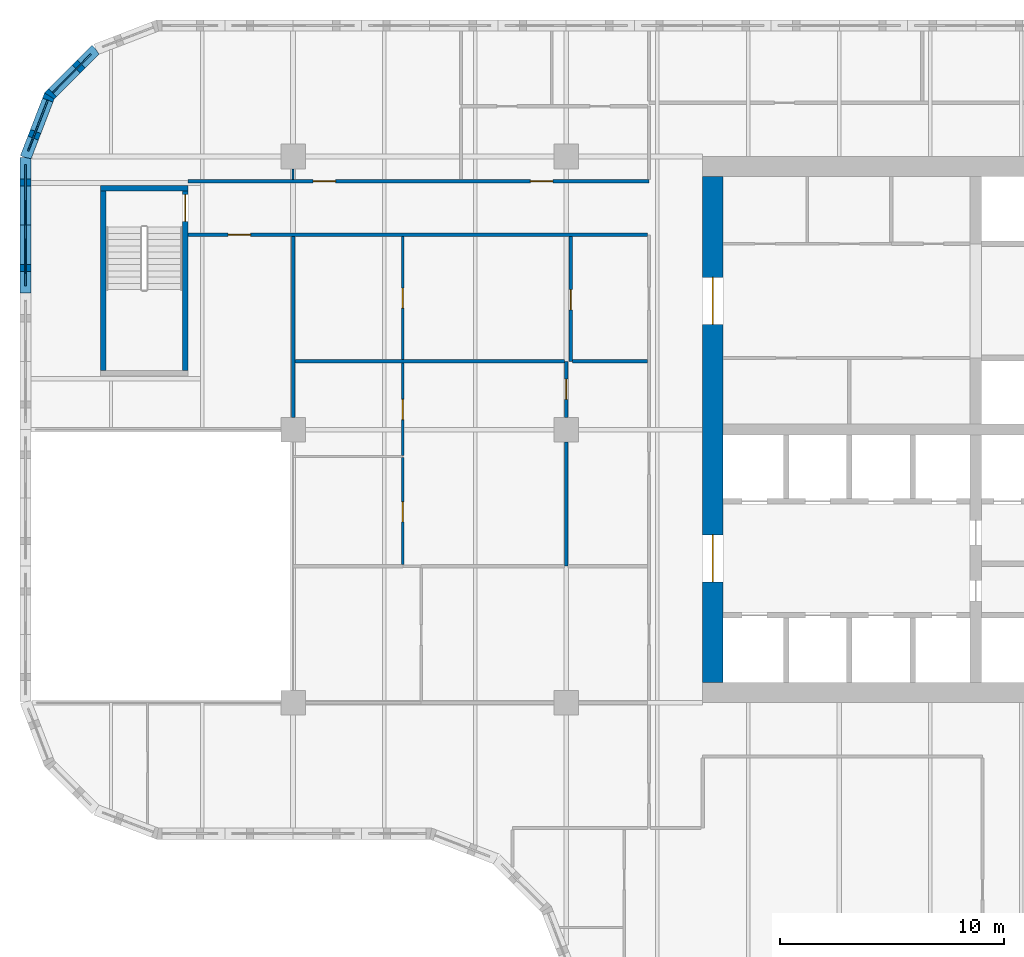
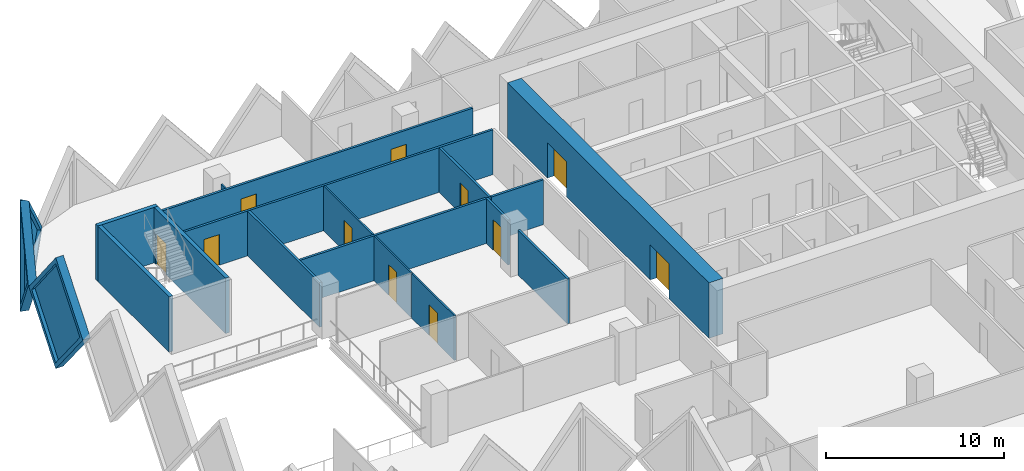
# One storey, part 8 of 19: 19 walls, 11 doors, 3 plates, 14 openings.
"""IFC4 building model written with IfcOpenShell, lengths in metres."""

from ifc_helpers import new_model, si_unit, direction, frame, frame_2d, origin, place, context, subcontext, project, spatial, polyline, rectangle, outline, extrude, faceted_brep, source, transform, mapped, material, layer, layer_set, type_object, element, fill, save


model = new_model("IFC4")

# Units and contexts
model_context = context("Model", 3, precision=1e-05, world=origin(), true_north=direction((0.0, 1.0)))
body_context = subcontext(model_context, "Body", "Model", "MODEL_VIEW")
ifc_project = project(units=[si_unit("LENGTHUNIT", "METRE"), si_unit("AREAUNIT", "SQUARE_METRE"), si_unit("VOLUMEUNIT", "CUBIC_METRE"), si_unit("PLANEANGLEUNIT", "RADIAN"), si_unit("MASSUNIT", "GRAM", prefix="KILO")], contexts=[model_context])

# Site, building, storey
site_placement = place(None, origin())
site = spatial("IfcSite", under=ifc_project, at=site_placement, CompositionType="ELEMENT")
building_placement = place(site_placement, origin())
building = spatial("IfcBuilding", under=site, at=building_placement, Name="Tessera Gate Towers", CompositionType="ELEMENT")
storey_placement = place(building_placement, frame((0.0, 0.0, 33.39990234375)))
storey = spatial("IfcBuildingStorey", under=building, at=storey_placement, Name="L07", CompositionType="ELEMENT", Elevation=33.39990234375)

# Walls
ifc_material_1 = material(Name="Concrete C40/50", Category="concrete")
ifc_layer_1 = layer(ifc_material_1, 0.25)
ifc_layer_set_1 = layer_set([ifc_layer_1], Name="CORE ENCLOSURE WALL 250")
wall_type_1 = type_object("IfcWallType", Name="CORE ENCLOSURE WALL 250", PredefinedType="SOLIDWALL", material=ifc_layer_set_1)
wall_1_placement = place(storey_placement, frame((3.72509765625, 39.25, 0.0), z_axis=(0.0, 0.0, 1.0), x_axis=(0.0, 1.0, 0.0)))
element("IfcWall", 1, at=wall_1_placement, inside=storey, type_object=wall_type_1, Name="L07 ST3 enclosure wall", PredefinedType="SOLIDWALL", context=body_context, shape_type="SweptSolid", body=[
    extrude(rectangle(XDim=8.0, YDim=0.25, at=frame_2d((4.0, 0.0))), origin(), (0.0, 0.0, 1.0), 3.800048828125),
])
wall_2_placement = place(storey_placement, frame((3.60009765625, 47.375, 0.0), z_axis=(0.0, 0.0, 1.0), x_axis=(1.0, 0.0, 0.0)))
element("IfcWall", 2, at=wall_2_placement, inside=storey, type_object=wall_type_1, Name="L07 ST3 enclosure wall", PredefinedType="SOLIDWALL", context=body_context, shape_type="SweptSolid", body=[
    extrude(rectangle(XDim=3.89990234375, YDim=0.25, at=frame_2d((1.949951171875, 0.0))), origin(), (0.0, 0.0, 1.0), 3.800048828125),
])

# Wall, opening, door
wall_3_placement = place(storey_placement, frame((7.375, 47.25, 0.0), z_axis=(0.0, 0.0, 1.0), x_axis=(0.0, -1.0, 0.0)))
wall_3 = element("IfcWall", 3, at=wall_3_placement, inside=storey, type_object=wall_type_1, Name="L07 ST3 enclosure wall", PredefinedType="SOLIDWALL", context=body_context, shape_type="SweptSolid", body=[
    extrude(rectangle(XDim=8.0, YDim=0.25, at=frame_2d((4.0, 0.0))), origin(), (0.0, 0.0, 1.0), 3.800048828125),
])
shared_shape_1 = source(origin(), body_context, "Body", "SweptSolid", [
    extrude(rectangle(XDim=1.199951171875, YDim=2.10009765625, at=frame_2d((0.60009765625, 1.050048828125))), frame((0.0, 0.135009765625, 0.0), z_axis=(0.0, -1.0, 0.0), x_axis=(1.0, 0.0, 0.0)), (0.0, 0.0, 1.0), 0.27001953125),
])
opening_1_placement = place(wall_3_placement, frame((0.14990234375, 0.0, 0.0)))
opening_1 = element("IfcOpeningElement", 4, at=opening_1_placement, cuts=wall_3, Name="Opening SD-ST3-1", PredefinedType="OPENING", context=body_context, shape_type="MappedRepresentation", body=[
    mapped(shared_shape_1, transform((0.0, 0.0, 0.0), scale=1.0)),
])
ifc_material_2 = material(Name="Hollow steel fire door", Category="steel")
door_type_1 = type_object("IfcDoorType", Name="CORE DOOR SD 1200x2100", OperationType="NOTDEFINED", PredefinedType="DOOR", material=ifc_material_2)
shared_shape_2 = source(origin(), body_context, "Body", "SweptSolid", [
    extrude(rectangle(XDim=1.199951171875, YDim=2.10009765625, at=frame_2d((0.60009765625, 1.050048828125))), frame((0.0, 0.02490234375, 0.0), z_axis=(0.0, -1.0, 0.0), x_axis=(1.0, 0.0, 0.0)), (0.0, 0.0, 1.0), 0.050048828125),
])
door_1_placement = place(opening_1_placement, origin())
door_1 = element("IfcDoor", 5, at=door_1_placement, inside=storey, type_object=door_type_1, Name="Stair door", OperationType="SINGLE_SWING_LEFT", OverallHeight=2.10009765625, OverallWidth=1.199951171875, PredefinedType="DOOR", context=body_context, shape_type="MappedRepresentation", body=[
    mapped(shared_shape_2, transform((0.0, 0.0, 0.0), scale=1.0)),
])
fill(opening_1, door_1)

# Wall, openings, doors
ifc_material_3 = material(Name="Concrete C70/85", Category="concrete")
ifc_layer_2 = layer(ifc_material_3, 0.89990234375)
ifc_layer_set_2 = layer_set([ifc_layer_2], Name="CORE SHEAR WALL 900 C70/85")
wall_type_2 = type_object("IfcWallType", Name="CORE SHEAR WALL 900 C70/85", PredefinedType="SHEAR", material=ifc_layer_set_2)
wall_4_placement = place(storey_placement, frame((30.949951171875, 25.300048828125, 0.0), z_axis=(0.0, 0.0, 1.0), x_axis=(0.0, 1.0, 0.0)))
wall_4 = element("IfcWall", 6, at=wall_4_placement, inside=storey, type_object=wall_type_2, Name="Core wall W L07", PredefinedType="SHEAR", context=body_context, shape_type="SweptSolid", body=[
    extrude(rectangle(XDim=22.599853515625, YDim=0.89990234375, at=frame_2d((11.2998046875, 0.0))), origin(), (0.0, 0.0, 1.0), 3.800048828125),
])
shared_shape_3 = source(origin(), body_context, "Body", "SweptSolid", [
    extrude(rectangle(XDim=2.10009765625, YDim=2.39990234375, at=frame_2d((1.050048828125, 1.199951171875))), frame((0.0, 0.4599609375, 0.0), z_axis=(0.0, -1.0, 0.0), x_axis=(1.0, 0.0, 0.0)), (0.0, 0.0, 1.0), 0.919921875),
])
opening_2_placement = place(wall_4_placement, frame((4.5, 0.0, 0.0)))
opening_2 = element("IfcOpeningElement", 7, at=opening_2_placement, cuts=wall_4, Name="Opening DD-T1-07-02", PredefinedType="OPENING", context=body_context, shape_type="MappedRepresentation", body=[
    mapped(shared_shape_3, transform((0.0, 0.0, 0.0), scale=1.0)),
])
opening_3_placement = place(wall_4_placement, frame((16.0, 0.0, 0.0)))
opening_3 = element("IfcOpeningElement", 8, at=opening_3_placement, cuts=wall_4, Name="Opening DD-T1-07-03", PredefinedType="OPENING", context=body_context, shape_type="MappedRepresentation", body=[
    mapped(shared_shape_3, transform((0.0, 0.0, 0.0), scale=1.0)),
])
ifc_material_4 = material(Name="Hollow steel fire door", Category="steel")
door_type_2 = type_object("IfcDoorType", Name="CORE DOOR DD 2100x2400", OperationType="NOTDEFINED", PredefinedType="DOOR", material=ifc_material_4)
shared_shape_4 = source(origin(), body_context, "Body", "SweptSolid", [
    extrude(rectangle(XDim=2.10009765625, YDim=2.39990234375, at=frame_2d((1.050048828125, 1.199951171875))), frame((0.0, 0.02490234375, 0.0), z_axis=(0.0, -1.0, 0.0), x_axis=(1.0, 0.0, 0.0)), (0.0, 0.0, 1.0), 0.050048828125),
])
door_2_placement = place(opening_2_placement, origin())
door_2 = element("IfcDoor", 9, at=door_2_placement, inside=storey, type_object=door_type_2, Name="Core entrance door", OperationType="DOUBLE_DOOR_SINGLE_SWING", OverallHeight=2.39990234375, OverallWidth=2.10009765625, PredefinedType="DOOR", context=body_context, shape_type="MappedRepresentation", body=[
    mapped(shared_shape_4, transform((0.0, 0.0, 0.0), scale=1.0)),
])
fill(opening_2, door_2)
door_3_placement = place(opening_3_placement, origin())
door_3 = element("IfcDoor", 10, at=door_3_placement, inside=storey, type_object=door_type_2, Name="Core entrance door", OperationType="DOUBLE_DOOR_SINGLE_SWING", OverallHeight=2.39990234375, OverallWidth=2.10009765625, PredefinedType="DOOR", context=body_context, shape_type="MappedRepresentation", body=[
    mapped(shared_shape_4, transform((0.0, 0.0, 0.0), scale=1.0)),
])
fill(opening_3, door_3)

# Wall, opening, door
ifc_material_5 = material(Name="Gypsum board on steel studs, mineral wool", Category="steel")
ifc_layer_3 = layer(ifc_material_5, 0.14990234375)
ifc_layer_set_3 = layer_set([ifc_layer_3], Name="CORRIDOR WALL 150")
wall_type_3 = type_object("IfcWallType", Name="CORRIDOR WALL 150", PredefinedType="PARTITIONING", material=ifc_layer_set_3)
wall_5_placement = place(storey_placement, frame((28.02392578125, 45.300048828125, 0.0), z_axis=(0.0, 0.0, 1.0), x_axis=(-1.0, 0.0, 0.0)))
wall_5 = element("IfcWall", 11, at=wall_5_placement, inside=storey, type_object=wall_type_3, Name="T1-L07-PW-046", PredefinedType="PARTITIONING", context=body_context, shape_type="SweptSolid", body=[
    extrude(rectangle(XDim=20.52392578125, YDim=0.14990234375, at=frame_2d((10.261962890625, 0.0))), origin(), (0.0, 0.0, 1.0), 3.067138671875),
])
shared_shape_5 = source(origin(), body_context, "Body", "SweptSolid", [
    extrude(rectangle(XDim=1.0, YDim=2.10009765625, at=frame_2d((0.5, 1.050048828125))), frame((0.0, 0.0849609375, 0.0), z_axis=(0.0, -1.0, 0.0), x_axis=(1.0, 0.0, 0.0)), (0.0, 0.0, 1.0), 0.169921875),
])
opening_4_placement = place(wall_5_placement, frame((17.72412109375, 0.0, 0.0)))
opening_4 = element("IfcOpeningElement", 12, at=opening_4_placement, cuts=wall_5, Name="Opening D2100FD60-A02-01", PredefinedType="OPENING", context=body_context, shape_type="MappedRepresentation", body=[
    mapped(shared_shape_5, transform((0.0, 0.0, 0.0), scale=1.0)),
])
ifc_material_6 = material(Name="Timber door leaf in steel frame", Category="steel")
door_type_3 = type_object("IfcDoorType", Name="TENANCY ENTRANCE DOOR 1000 FD60", OperationType="NOTDEFINED", PredefinedType="DOOR", material=ifc_material_6)
shared_shape_6 = source(origin(), body_context, "Body", "SweptSolid", [
    extrude(rectangle(XDim=1.0, YDim=2.10009765625, at=frame_2d((0.5, 1.050048828125))), frame((0.0, 0.02490234375, 0.0), z_axis=(0.0, -1.0, 0.0), x_axis=(1.0, 0.0, 0.0)), (0.0, 0.0, 1.0), 0.050048828125),
])
door_4_placement = place(opening_4_placement, origin())
door_4 = element("IfcDoor", 13, at=door_4_placement, inside=storey, type_object=door_type_3, Name="T1-L07-PD-009", OperationType="SINGLE_SWING_RIGHT", OverallHeight=2.10009765625, OverallWidth=1.0, PredefinedType="DOOR", context=body_context, shape_type="MappedRepresentation", body=[
    mapped(shared_shape_6, transform((0.0, 0.0, 0.0), scale=1.0)),
])
fill(opening_4, door_4)

# Wall, openings, doors
wall_6_placement = place(storey_placement, frame((7.5, 47.699951171875, 0.0), z_axis=(0.0, 0.0, 1.0), x_axis=(1.0, 0.0, 0.0)))
wall_6 = element("IfcWall", 14, at=wall_6_placement, inside=storey, type_object=wall_type_3, Name="T1-L07-PW-047", PredefinedType="PARTITIONING", context=body_context, shape_type="SweptSolid", body=[
    extrude(rectangle(XDim=20.60009765625, YDim=0.14990234375, at=frame_2d((10.300048828125, 0.0))), origin(), (0.0, 0.0, 1.0), 3.067138671875),
])
opening_5_placement = place(wall_6_placement, frame((15.301025390625, 0.0, 0.0)))
opening_5 = element("IfcOpeningElement", 15, at=opening_5_placement, cuts=wall_6, Name="Opening D2100FD60-A02-04", PredefinedType="OPENING", context=body_context, shape_type="MappedRepresentation", body=[
    mapped(shared_shape_5, transform((0.0, 0.0, 0.0), scale=1.0)),
])
opening_6_placement = place(wall_6_placement, frame((5.60009765625, 0.0, 0.0)))
opening_6 = element("IfcOpeningElement", 16, at=opening_6_placement, cuts=wall_6, Name="Opening D2100FD60-A02-06", PredefinedType="OPENING", context=body_context, shape_type="MappedRepresentation", body=[
    mapped(shared_shape_5, transform((0.0, 0.0, 0.0), scale=1.0)),
])
door_5_placement = place(opening_5_placement, origin())
door_5 = element("IfcDoor", 17, at=door_5_placement, inside=storey, type_object=door_type_3, Name="T1-L07-PD-024", OperationType="SINGLE_SWING_LEFT", OverallHeight=2.10009765625, OverallWidth=1.0, PredefinedType="DOOR", context=body_context, shape_type="MappedRepresentation", body=[
    mapped(shared_shape_6, transform((0.0, 0.0, 0.0), scale=1.0)),
])
fill(opening_5, door_5)
door_6_placement = place(opening_6_placement, origin())
door_6 = element("IfcDoor", 18, at=door_6_placement, inside=storey, type_object=door_type_3, Name="T1-L07-PD-029", OperationType="SINGLE_SWING_LEFT", OverallHeight=2.10009765625, OverallWidth=1.0, PredefinedType="DOOR", context=body_context, shape_type="MappedRepresentation", body=[
    mapped(shared_shape_6, transform((0.0, 0.0, 0.0), scale=1.0)),
])
fill(opening_6, door_6)

# Wall, opening, door
ifc_material_7 = material(Name="Gypsum board on steel studs", Category="steel")
ifc_layer_4 = layer(ifc_material_7, 0.10009765625)
ifc_layer_set_4 = layer_set([ifc_layer_4], Name="PARTITION 100")
wall_type_4 = type_object("IfcWallType", Name="PARTITION 100", PredefinedType="PARTITIONING", material=ifc_layer_set_4)
wall_7_placement = place(storey_placement, frame((17.10009765625, 30.575927734375, 0.0), z_axis=(0.0, 0.0, 1.0), x_axis=(0.0, 1.0, 0.0)))
wall_7 = element("IfcWall", 19, at=wall_7_placement, inside=storey, type_object=wall_type_4, Name="T1-L07-PW-037", PredefinedType="PARTITIONING", context=body_context, shape_type="SweptSolid", body=[
    extrude(rectangle(XDim=4.768310546875, YDim=0.10009765625, at=frame_2d((2.38427734375, 0.0))), origin(), (0.0, 0.0, 1.0), 3.067138671875),
])
shared_shape_7 = source(origin(), body_context, "Body", "SweptSolid", [
    extrude(rectangle(XDim=0.89990234375, YDim=2.10009765625, at=frame_2d((0.449951171875, 1.050048828125))), frame((0.0, 0.06005859375, 0.0), z_axis=(0.0, -1.0, 0.0), x_axis=(1.0, 0.0, 0.0)), (0.0, 0.0, 1.0), 0.1201171875),
])
opening_7_placement = place(wall_7_placement, frame((1.89990234375, 0.0, 0.0)))
opening_7 = element("IfcOpeningElement", 20, at=opening_7_placement, cuts=wall_7, Name="Opening D190-A02-10", PredefinedType="OPENING", context=body_context, shape_type="MappedRepresentation", body=[
    mapped(shared_shape_7, transform((0.0, 0.0, 0.0), scale=1.0)),
])
ifc_material_8 = material(Name="Timber door leaf in steel frame", Category="steel")
door_type_4 = type_object("IfcDoorType", Name="INTERNAL DOOR 900 NOT RATED", OperationType="NOTDEFINED", PredefinedType="DOOR", material=ifc_material_8)
shared_shape_8 = source(origin(), body_context, "Body", "SweptSolid", [
    extrude(rectangle(XDim=0.89990234375, YDim=2.10009765625, at=frame_2d((0.449951171875, 1.050048828125))), frame((0.0, 0.02490234375, 0.0), z_axis=(0.0, -1.0, 0.0), x_axis=(1.0, 0.0, 0.0)), (0.0, 0.0, 1.0), 0.050048828125),
])
door_7_placement = place(opening_7_placement, origin())
door_7 = element("IfcDoor", 21, at=door_7_placement, inside=storey, type_object=door_type_4, Name="T1-L07-PD-012", OperationType="SINGLE_SWING_LEFT", OverallHeight=2.10009765625, OverallWidth=0.89990234375, PredefinedType="DOOR", context=body_context, shape_type="MappedRepresentation", body=[
    mapped(shared_shape_8, transform((0.0, 0.0, 0.0), scale=1.0)),
])
fill(opening_7, door_7)

wall_8_placement = place(storey_placement, frame((17.10009765625, 35.4462890625, 0.0), z_axis=(0.0, 0.0, 1.0), x_axis=(0.0, 1.0, 0.0)))
wall_8 = element("IfcWall", 22, at=wall_8_placement, inside=storey, type_object=wall_type_4, Name="T1-L07-PW-039", PredefinedType="PARTITIONING", context=body_context, shape_type="SweptSolid", body=[
    extrude(rectangle(XDim=4.127685546875, YDim=0.10009765625, at=frame_2d((2.06396484375, 0.0))), origin(), (0.0, 0.0, 1.0), 3.067138671875),
])
opening_8_placement = place(wall_8_placement, frame((1.60009765625, 0.0, 0.0)))
opening_8 = element("IfcOpeningElement", 23, at=opening_8_placement, cuts=wall_8, Name="Opening D190-A02-03", PredefinedType="OPENING", context=body_context, shape_type="MappedRepresentation", body=[
    mapped(shared_shape_7, transform((0.0, 0.0, 0.0), scale=1.0)),
])
door_8_placement = place(opening_8_placement, origin())
door_8 = element("IfcDoor", 24, at=door_8_placement, inside=storey, type_object=door_type_4, Name="T1-L07-PD-004", OperationType="SINGLE_SWING_LEFT", OverallHeight=2.10009765625, OverallWidth=0.89990234375, PredefinedType="DOOR", context=body_context, shape_type="MappedRepresentation", body=[
    mapped(shared_shape_8, transform((0.0, 0.0, 0.0), scale=1.0)),
])
fill(opening_8, door_8)

wall_9_placement = place(storey_placement, frame((17.10009765625, 39.72607421875, 0.0), z_axis=(0.0, 0.0, 1.0), x_axis=(0.0, 1.0, 0.0)))
wall_9 = element("IfcWall", 25, at=wall_9_placement, inside=storey, type_object=wall_type_4, Name="T1-L07-PW-045", PredefinedType="PARTITIONING", context=body_context, shape_type="SweptSolid", body=[
    extrude(rectangle(XDim=5.498046875, YDim=0.10009765625, at=frame_2d((2.7490234375, 0.0))), origin(), (0.0, 0.0, 1.0), 3.067138671875),
])
opening_9_placement = place(wall_9_placement, frame((2.300048828125, 0.0, 0.0)))
opening_9 = element("IfcOpeningElement", 26, at=opening_9_placement, cuts=wall_9, Name="Opening D190-A02-11", PredefinedType="OPENING", context=body_context, shape_type="MappedRepresentation", body=[
    mapped(shared_shape_7, transform((0.0, 0.0, 0.0), scale=1.0)),
])
door_9_placement = place(opening_9_placement, origin())
door_9 = element("IfcDoor", 27, at=door_9_placement, inside=storey, type_object=door_type_4, Name="T1-L07-PD-015", OperationType="SINGLE_SWING_LEFT", OverallHeight=2.10009765625, OverallWidth=0.89990234375, PredefinedType="DOOR", context=body_context, shape_type="MappedRepresentation", body=[
    mapped(shared_shape_8, transform((0.0, 0.0, 0.0), scale=1.0)),
])
fill(opening_9, door_9)

# Walls
wall_10_placement = place(storey_placement, frame((12.199951171875, 48.25, 0.0), z_axis=(0.0, 0.0, 1.0), x_axis=(0.0, -1.0, 0.0)))
element("IfcWall", 28, at=wall_10_placement, inside=storey, type_object=wall_type_4, Name="T1-L07-PW-050", PredefinedType="PARTITIONING", context=body_context, shape_type="SweptSolid", body=[
    extrude(rectangle(XDim=0.47509765625, YDim=0.10009765625, at=frame_2d((0.237548828125, 0.0))), origin(), (0.0, 0.0, 1.0), 3.067138671875),
])
ifc_material_9 = material(Name="Gypsum board on steel studs, mineral wool", Category="steel")
ifc_layer_5 = layer(ifc_material_9, 0.14990234375)
ifc_layer_set_5 = layer_set([ifc_layer_5], Name="TENANCY WALL 150")
wall_type_5 = type_object("IfcWallType", Name="TENANCY WALL 150", PredefinedType="PARTITIONING", material=ifc_layer_set_5)
wall_11_placement = place(storey_placement, frame((24.39990234375, 30.5, 0.0), z_axis=(0.0, 0.0, 1.0), x_axis=(0.0, 1.0, 0.0)))
element("IfcWall", 29, at=wall_11_placement, inside=storey, type_object=wall_type_5, Name="T1-L07-PW-035", PredefinedType="PARTITIONING", context=body_context, shape_type="SweptSolid", body=[
    extrude(rectangle(XDim=5.549072265625, YDim=0.14990234375, at=frame_2d((2.7744140625, 0.0))), origin(), (0.0, 0.0, 1.0), 3.067138671875),
])
wall_12_placement = place(storey_placement, frame((12.199951171875, 37.15087890625, 0.0), z_axis=(0.0, 0.0, 1.0), x_axis=(0.0, 1.0, 0.0)))
element("IfcWall", 30, at=wall_12_placement, inside=storey, type_object=wall_type_5, Name="T1-L07-PW-040", PredefinedType="PARTITIONING", context=body_context, shape_type="SweptSolid", body=[
    extrude(rectangle(XDim=8.0732421875, YDim=0.14990234375, at=frame_2d((4.03662109375, 0.0))), origin(), (0.0, 0.0, 1.0), 3.067138671875),
])

# Wall, opening, door
wall_13_placement = place(storey_placement, frame((24.39990234375, 37.15087890625, 0.0), z_axis=(0.0, 0.0, 1.0), x_axis=(0.0, 1.0, 0.0)))
wall_13 = element("IfcWall", 31, at=wall_13_placement, inside=storey, type_object=wall_type_5, Name="T1-L07-PW-041", PredefinedType="PARTITIONING", context=body_context, shape_type="SweptSolid", body=[
    extrude(rectangle(XDim=2.4990234375, YDim=0.14990234375, at=frame_2d((1.24951171875, 0.0))), origin(), (0.0, 0.0, 1.0), 3.067138671875),
])
shared_shape_9 = source(origin(), body_context, "Body", "SweptSolid", [
    extrude(rectangle(XDim=0.89990234375, YDim=2.10009765625, at=frame_2d((0.449951171875, 1.050048828125))), frame((0.0, 0.0849609375, 0.0), z_axis=(0.0, -1.0, 0.0), x_axis=(1.0, 0.0, 0.0)), (0.0, 0.0, 1.0), 0.169921875),
])
opening_10_placement = place(wall_13_placement, frame((0.800048828125, 0.0, 0.0)))
opening_10 = element("IfcOpeningElement", 32, at=opening_10_placement, cuts=wall_13, Name="Opening D190-A02-14", PredefinedType="OPENING", context=body_context, shape_type="MappedRepresentation", body=[
    mapped(shared_shape_9, transform((0.0, 0.0, 0.0), scale=1.0)),
])
door_10_placement = place(opening_10_placement, origin())
door_10 = element("IfcDoor", 33, at=door_10_placement, inside=storey, type_object=door_type_4, Name="T1-L07-PD-023", OperationType="SINGLE_SWING_LEFT", OverallHeight=2.10009765625, OverallWidth=0.89990234375, PredefinedType="DOOR", context=body_context, shape_type="MappedRepresentation", body=[
    mapped(shared_shape_8, transform((0.0, 0.0, 0.0), scale=1.0)),
])
fill(opening_10, door_10)

# Wall
wall_14_placement = place(storey_placement, frame((12.27587890625, 39.64990234375, 0.0), z_axis=(0.0, 0.0, 1.0), x_axis=(1.0, 0.0, 0.0)))
element("IfcWall", 34, at=wall_14_placement, inside=storey, type_object=wall_type_5, Name="T1-L07-PW-042", PredefinedType="PARTITIONING", context=body_context, shape_type="SweptSolid", body=[
    extrude(rectangle(XDim=12.048095703125, YDim=0.14990234375, at=frame_2d((6.02392578125, 0.0))), origin(), (0.0, 0.0, 1.0), 3.067138671875),
])

# Wall, opening, door
wall_15_placement = place(storey_placement, frame((24.60009765625, 39.64990234375, 0.0), z_axis=(0.0, 0.0, 1.0), x_axis=(0.0, 1.0, 0.0)))
wall_15 = element("IfcWall", 35, at=wall_15_placement, inside=storey, type_object=wall_type_5, Name="T1-L07-PW-043", PredefinedType="PARTITIONING", context=body_context, shape_type="SweptSolid", body=[
    extrude(rectangle(XDim=5.57421875, YDim=0.14990234375, at=frame_2d((2.787109375, 0.0))), origin(), (0.0, 0.0, 1.0), 3.067138671875),
])
opening_11_placement = place(wall_15_placement, frame((2.300048828125, 0.0, 0.0)))
opening_11 = element("IfcOpeningElement", 36, at=opening_11_placement, cuts=wall_15, Name="Opening D190-A02-12", PredefinedType="OPENING", context=body_context, shape_type="MappedRepresentation", body=[
    mapped(shared_shape_9, transform((0.0, 0.0, 0.0), scale=1.0)),
])
door_11_placement = place(opening_11_placement, origin())
door_11 = element("IfcDoor", 37, at=door_11_placement, inside=storey, type_object=door_type_4, Name="T1-L07-PD-016", OperationType="SINGLE_SWING_LEFT", OverallHeight=2.10009765625, OverallWidth=0.89990234375, PredefinedType="DOOR", context=body_context, shape_type="MappedRepresentation", body=[
    mapped(shared_shape_8, transform((0.0, 0.0, 0.0), scale=1.0)),
])
fill(opening_11, door_11)

# Wall
wall_16_placement = place(storey_placement, frame((24.676025390625, 39.64990234375, 0.0), z_axis=(0.0, 0.0, 1.0), x_axis=(1.0, 0.0, 0.0)))
element("IfcWall", 38, at=wall_16_placement, inside=storey, type_object=wall_type_5, Name="T1-L07-PW-044", PredefinedType="PARTITIONING", context=body_context, shape_type="SweptSolid", body=[
    extrude(rectangle(XDim=3.347900390625, YDim=0.14990234375, at=frame_2d((1.673828125, 0.0))), origin(), (0.0, 0.0, 1.0), 3.067138671875),
])

# Wall, opening, plate
ifc_material_10 = material(Name="Precast concrete C60/75 white", Category="concrete")
ifc_layer_6 = layer(ifc_material_10, 0.5)
ifc_layer_set_6 = layer_set([ifc_layer_6], Name="TS3 corner tessera")
wall_type_6 = type_object("IfcWallType", Name="TS3 corner tessera", PredefinedType="SOLIDWALL", material=ifc_layer_set_6)
shared_shape_10 = source(origin(), body_context, "Body", "Brep", [
    faceted_brep([(0.052978515625, -0.25, 0.0), (3.00341796875, -0.25, 3.7998046875), (0.052978515625, -0.25, 7.599853515625), (0.0, -0.25, 7.531494140625), (0.0, -0.25, 0.068359375), (0.10595703125, 0.25, 7.53173828125), (2.95703125, 0.25, 3.859619140625), (2.95703125, 0.25, 3.739990234375), (0.10595703125, 0.25, 0.068115234375), (3.00341796875, 0.00048828125, 3.7998046875), (0.052978515625, 0.0, 0.0), (0.052978515625, 0.0, 7.599853515625)], [[[0, 1, 2, 3, 4]], [[5, 6, 7, 8]], [[8, 7, 9, 1, 0, 10]], [[6, 5, 11, 2, 1, 9]], [[3, 2, 11]], [[10, 0, 4]], [[8, 10, 4, 3, 11, 5]], [[9, 7, 6]]]),
])
wall_17_placement = place(storey_placement, frame((1.3310546875, 51.5556640625, -3.7998046875), z_axis=(0.0, 0.0, 1.0), x_axis=(-0.35992665181, -0.932980602862, 0.0)))
wall_17 = element("IfcWall", 39, at=wall_17_placement, inside=storey, type_object=wall_type_6, Name="Precast corner tessera T1 TS3-0134", PredefinedType="SOLIDWALL", context=body_context, shape_type="MappedRepresentation", body=[
    mapped(shared_shape_10, transform((0.0, 0.0, 0.0), scale=1.0)),
])
shared_shape_11 = source(origin(), body_context, "Body", "SweptSolid", [
    extrude(outline(polyline([(0.2529296875, 0.6650390625), (2.68701171875, 3.7998046875), (0.2529296875, 6.9345703125), (0.2529296875, 0.6650390625)])), frame((0.0, 0.260009765625, 0.0), z_axis=(0.0, -1.0, 0.0), x_axis=(1.0, 0.0, 0.0)), (0.0, 0.0, 1.0), 0.52001953125),
])
opening_12_placement = place(wall_17_placement, origin())
opening_12 = element("IfcOpeningElement", 40, at=opening_12_placement, cuts=wall_17, Name="Opening T1-PL2-0124", PredefinedType="OPENING", context=body_context, shape_type="MappedRepresentation", body=[
    mapped(shared_shape_11, transform((0.0, 0.0, 0.0), scale=1.0)),
])
ifc_material_11 = material(Name="Low-e laminated glass", Category="glass")
ifc_layer_7 = layer(ifc_material_11, 0.06005859375)
ifc_layer_set_7 = layer_set([ifc_layer_7], Name="PL2 rhombic pane")
plate_type = type_object("IfcPlateType", Name="PL2 rhombic pane", PredefinedType="SHEET", material=ifc_layer_set_7)
shared_shape_12 = source(origin(), body_context, "Body", "SweptSolid", [
    extrude(outline(polyline([(0.2529296875, 0.6650390625), (2.68701171875, 3.7998046875), (0.2529296875, 6.9345703125), (0.2529296875, 0.6650390625)])), frame((0.0, 0.030029296875, 0.0), z_axis=(0.0, -1.0, 0.0), x_axis=(1.0, 0.0, 0.0)), (0.0, 0.0, 1.0), 0.06005859375),
])
plate_1_placement = place(opening_12_placement, origin())
plate_1 = element("IfcPlate", 41, at=plate_1_placement, inside=storey, type_object=plate_type, Name="Glass pane T1 PL2-0124", PredefinedType="SHEET", context=body_context, shape_type="MappedRepresentation", body=[
    mapped(shared_shape_12, transform((0.0, 0.0, 0.0), scale=1.0)),
])
fill(opening_12, plate_1)

ifc_material_12 = material(Name="Precast concrete C60/75 white", Category="concrete")
ifc_layer_8 = layer(ifc_material_12, 0.5)
ifc_layer_set_8 = layer_set([ifc_layer_8], Name="TS1 tessera")
wall_type_7 = type_object("IfcWallType", Name="TS1 tessera", PredefinedType="SOLIDWALL", material=ifc_layer_set_8)
shared_shape_13 = source(origin(), body_context, "Body", "Brep", [
    faceted_brep([(3.00341796875, -0.25, 0.0), (6.053466796875, -0.25, 3.7998046875), (3.00341796875, -0.25, 7.599853515625), (0.0, -0.25, 3.7998046875), (0.046630859375, 0.25, 3.858642578125), (3.00341796875, 0.25, 7.599853515625), (6.053466796875, 0.25, 3.7998046875), (3.00341796875, 0.25, 0.0), (0.046630859375, 0.25, 3.740966796875), (0.0, 0.0, 3.7998046875)], [[[0, 1, 2, 3]], [[4, 5, 6, 7, 8]], [[7, 6, 1, 0]], [[6, 5, 2, 1]], [[5, 4, 9, 3, 2]], [[8, 7, 0, 3, 9]], [[8, 9, 4]]]),
])
wall_18_placement = place(storey_placement, frame((0.25, 48.75341796875, -3.7998046875), z_axis=(0.0, 0.0, 1.0), x_axis=(0.0, -1.0, 0.0)))
wall_18 = element("IfcWall", 42, at=wall_18_placement, inside=storey, type_object=wall_type_7, Name="Precast tessera T1 TS1-0063", PredefinedType="SOLIDWALL", context=body_context, shape_type="MappedRepresentation", body=[
    mapped(shared_shape_13, transform((0.0, 0.0, 0.0), scale=1.0)),
])
shared_shape_14 = source(origin(), body_context, "Body", "SweptSolid", [
    extrude(outline(polyline([(3.0048828125, 0.401123046875), (5.73291015625, 3.7998046875), (3.0048828125, 7.19873046875), (0.318603515625, 3.7998046875), (3.0048828125, 0.401123046875)])), frame((0.0, 0.260009765625, 0.0), z_axis=(0.0, -1.0, 0.0), x_axis=(1.0, 0.0, 0.0)), (0.0, 0.0, 1.0), 0.52001953125),
])
opening_13_placement = place(wall_18_placement, origin())
opening_13 = element("IfcOpeningElement", 43, at=opening_13_placement, cuts=wall_18, Name="Opening T1-PL2-0125", PredefinedType="OPENING", context=body_context, shape_type="MappedRepresentation", body=[
    mapped(shared_shape_14, transform((0.0, 0.0, 0.0), scale=1.0)),
])
shared_shape_15 = source(origin(), body_context, "Body", "SweptSolid", [
    extrude(outline(polyline([(3.0048828125, 0.401123046875), (5.73291015625, 3.7998046875), (3.0048828125, 7.19873046875), (0.318603515625, 3.7998046875), (3.0048828125, 0.401123046875)])), frame((0.0, 0.030029296875, 0.0), z_axis=(0.0, -1.0, 0.0), x_axis=(1.0, 0.0, 0.0)), (0.0, 0.0, 1.0), 0.06005859375),
])
plate_2_placement = place(opening_13_placement, origin())
plate_2 = element("IfcPlate", 44, at=plate_2_placement, inside=storey, type_object=plate_type, Name="Glass pane T1 PL2-0125", PredefinedType="SHEET", context=body_context, shape_type="MappedRepresentation", body=[
    mapped(shared_shape_15, transform((0.0, 0.0, 0.0), scale=1.0)),
])
fill(opening_13, plate_2)

shared_shape_16 = source(origin(), body_context, "Body", "Brep", [
    faceted_brep([(2.944091796875, -0.25, 0.0), (2.9970703125, -0.25, 0.068115234375), (2.9970703125, -0.25, 7.53173828125), (2.944091796875, -0.25, 7.599853515625), (0.0, -0.25, 3.7998046875), (0.052978515625, 0.25, 3.8681640625), (2.89111328125, 0.25, 7.53173828125), (2.89111328125, 0.25, 0.068115234375), (0.052978515625, 0.25, 3.7314453125), (2.944091796875, 0.000244140625, 0.0), (2.944091796875, 0.000244140625, 7.599853515625), (0.0, 0.0, 3.7998046875)], [[[0, 1, 2, 3, 4]], [[5, 6, 7, 8]], [[1, 0, 9]], [[10, 3, 2]], [[6, 5, 11, 4, 3, 10]], [[8, 7, 9, 0, 4, 11]], [[8, 11, 5]], [[1, 9, 7, 6, 10, 2]]]),
])
wall_19_placement = place(storey_placement, frame((3.393798828125, 53.588134765625, -3.7998046875), z_axis=(0.0, 0.0, 1.0), x_axis=(-0.707106781187, -0.707106781187, 0.0)))
wall_19 = element("IfcWall", 45, at=wall_19_placement, inside=storey, type_object=wall_type_6, Name="Precast corner tessera T1 TS3-0133", PredefinedType="SOLIDWALL", context=body_context, shape_type="MappedRepresentation", body=[
    mapped(shared_shape_16, transform((0.0, 0.0, 0.0), scale=1.0)),
])
shared_shape_17 = source(origin(), body_context, "Body", "SweptSolid", [
    extrude(outline(polyline([(2.744140625, 6.93359375), (0.316162109375, 3.7998046875), (2.744140625, 0.666259765625), (2.744140625, 6.93359375)])), frame((0.0, 0.260009765625, 0.0), z_axis=(0.0, -1.0, 0.0), x_axis=(1.0, 0.0, 0.0)), (0.0, 0.0, 1.0), 0.52001953125),
])
opening_14_placement = place(wall_19_placement, origin())
opening_14 = element("IfcOpeningElement", 46, at=opening_14_placement, cuts=wall_19, Name="Opening T1-PL2-0123", PredefinedType="OPENING", context=body_context, shape_type="MappedRepresentation", body=[
    mapped(shared_shape_17, transform((0.0, 0.0, 0.0), scale=1.0)),
])
shared_shape_18 = source(origin(), body_context, "Body", "SweptSolid", [
    extrude(outline(polyline([(2.744140625, 6.93359375), (0.316162109375, 3.7998046875), (2.744140625, 0.666259765625), (2.744140625, 6.93359375)])), frame((0.0, 0.030029296875, 0.0), z_axis=(0.0, -1.0, 0.0), x_axis=(1.0, 0.0, 0.0)), (0.0, 0.0, 1.0), 0.06005859375),
])
plate_3_placement = place(opening_14_placement, origin())
plate_3 = element("IfcPlate", 47, at=plate_3_placement, inside=storey, type_object=plate_type, Name="Glass pane T1 PL2-0123", PredefinedType="SHEET", context=body_context, shape_type="MappedRepresentation", body=[
    mapped(shared_shape_18, transform((0.0, 0.0, 0.0), scale=1.0)),
])
fill(opening_14, plate_3)

save(model, "model.ifc")
